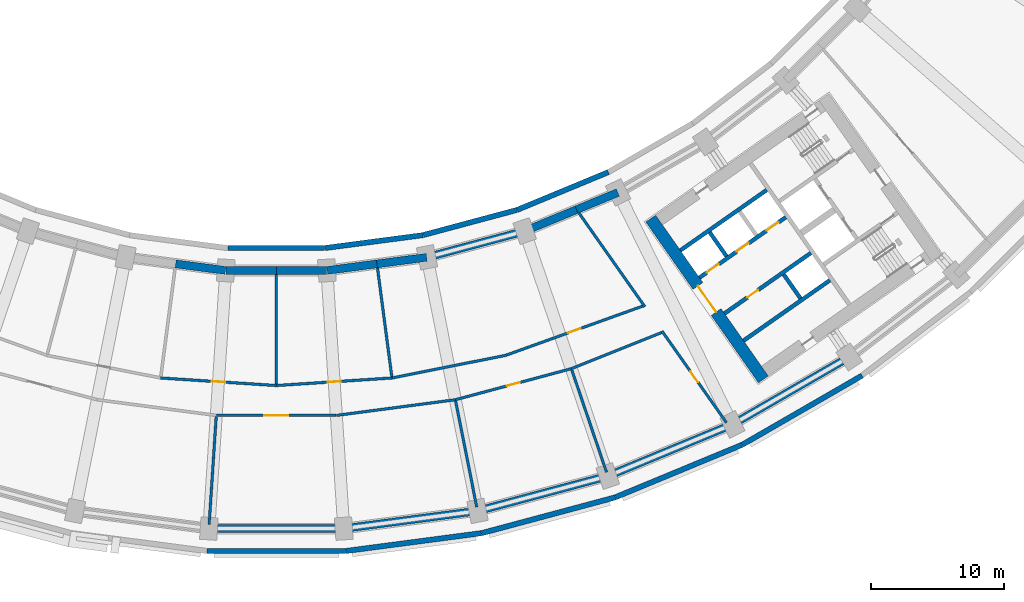
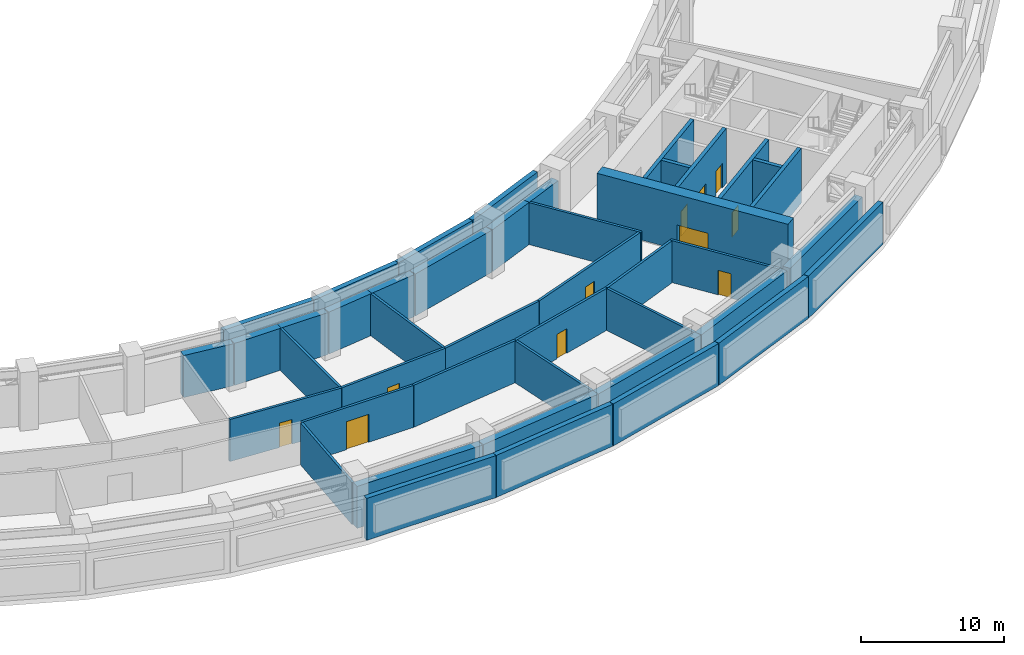
# One storey, part 7 of 25: 44 walls, 11 doors, 11 openings.
"""IFC4 building model written with IfcOpenShell, lengths in metres."""

from ifc_helpers import new_model, si_unit, direction, frame, frame_2d, origin, place, context, subcontext, project, spatial, rectangle, extrude, material, layer, layer_set, type_object, element, fill, save


model = new_model("IFC4")

# Units and contexts
model_context = context("Model", 3, precision=1e-05, world=origin(), true_north=direction((0.0, 1.0)))
body_context = subcontext(model_context, "Body", "Model", "MODEL_VIEW")
ifc_project = project(units=[si_unit("LENGTHUNIT", "METRE"), si_unit("AREAUNIT", "SQUARE_METRE"), si_unit("VOLUMEUNIT", "CUBIC_METRE"), si_unit("PLANEANGLEUNIT", "RADIAN"), si_unit("MASSUNIT", "GRAM", prefix="KILO")], contexts=[model_context])

# Site, building, storey
site_placement = place(None, origin())
site = spatial("IfcSite", under=ifc_project, at=site_placement, CompositionType="ELEMENT")
building_placement = place(site_placement, origin())
building = spatial("IfcBuilding", under=site, at=building_placement, Name="Qamariyya Broadcast Tower", CompositionType="ELEMENT")
storey_placement = place(building_placement, frame((0.0, 0.0, 89.89990234375)))
storey = spatial("IfcBuildingStorey", under=building, at=storey_placement, Name="L19", CompositionType="ELEMENT", Elevation=89.89990234375)

# Wall, opening, door
ifc_material_1 = material(Name="Concrete C70/85", Category="concrete")
ifc_layer_1 = layer(ifc_material_1, 0.89990234375)
ifc_layer_set_1 = layer_set([ifc_layer_1], Name="Core wall 900 mm Concrete C70/85")
wall_type_1 = type_object("IfcWallType", Name="Core wall 900 mm Concrete C70/85", PredefinedType="SHEAR", material=ifc_layer_set_1)
wall_1_placement = place(storey_placement, frame((36.716796875, -66.3369140625, 0.0), z_axis=(0.0, 0.0, 1.0), x_axis=(-0.573577477574, 0.819151315216, 0.0)))
wall_1 = element("IfcWall", 1, at=wall_1_placement, inside=storey, type_object=wall_type_1, Name="k-E-L19-WA", PredefinedType="SHEAR", context=body_context, shape_type="SweptSolid", body=[
    extrude(rectangle(XDim=14.800048828125, YDim=0.89990234375, at=frame_2d((7.39990234375, 0.0))), origin(), (0.0, 0.0, 1.0), 4.7001953125),
])
opening_1_placement = place(wall_1_placement, frame((6.199951171875, 0.0, 0.0)))
opening_1 = element("IfcOpeningElement", 2, at=opening_1_placement, cuts=wall_1, Name="Opening KD3-E1", PredefinedType="OPENING", context=body_context, shape_type="SweptSolid", body=[
    extrude(rectangle(XDim=2.39990234375, YDim=2.10009765625, at=frame_2d((1.199951171875, 1.050048828125))), frame((0.0, 0.4599609375, 0.0), z_axis=(0.0, -1.0, 0.0), x_axis=(1.0, 0.0, 0.0)), (0.0, 0.0, 1.0), 0.919921875),
])
ifc_material_2 = material(Name="Steel fire-resisting door leaf", Category="steel")
door_type_1 = type_object("IfcDoorType", Name="Lift lobby door KD3", OperationType="DOUBLE_DOOR_SINGLE_SWING", PredefinedType="DOOR", material=ifc_material_2)
door_1_placement = place(opening_1_placement, origin())
door_1 = element("IfcDoor", 3, at=door_1_placement, inside=storey, type_object=door_type_1, Name="k-E-L19-WA-D1", OperationType="DOUBLE_DOOR_SINGLE_SWING", OverallHeight=2.10009765625, OverallWidth=2.39990234375, PredefinedType="DOOR", context=body_context, shape_type="SweptSolid", body=[
    extrude(rectangle(XDim=2.39990234375, YDim=2.10009765625, at=frame_2d((1.199951171875, 1.050048828125))), frame((0.0, 0.02490234375, 0.0), z_axis=(0.0, -1.0, 0.0), x_axis=(1.0, 0.0, 0.0)), (0.0, 0.0, 1.0), 0.050048828125),
])
fill(opening_1, door_1)

# Wall, openings, doors
ifc_material_3 = material(Name="Concrete C60/75", Category="concrete")
ifc_layer_2 = layer(ifc_material_3, 0.300048828125)
ifc_layer_set_2 = layer_set([ifc_layer_2], Name="Lift shaft wall 300 mm Concrete C60/75")
wall_type_2 = type_object("IfcWallType", Name="Lift shaft wall 300 mm Concrete C60/75", PredefinedType="SOLIDWALL", material=ifc_layer_set_2)
wall_2_placement = place(storey_placement, frame((31.89453125, -58.66552734375, 0.0), z_axis=(0.0, 0.0, 1.0), x_axis=(0.819166993208, 0.573555086491, 0.0)))
wall_2 = element("IfcWall", 4, at=wall_2_placement, inside=storey, type_object=wall_type_2, Name="k-E-L19-NF0", PredefinedType="SOLIDWALL", context=body_context, shape_type="SweptSolid", body=[
    extrude(rectangle(XDim=7.9501953125, YDim=0.300048828125, at=frame_2d((3.97509765625, 0.0))), origin(), (0.0, 0.0, 1.0), 4.7001953125),
])
opening_2_placement = place(wall_2_placement, frame((0.675048828125, 0.0, 0.0)))
opening_2 = element("IfcOpeningElement", 5, at=opening_2_placement, cuts=wall_2, Name="Opening LD", PredefinedType="OPENING", context=body_context, shape_type="SweptSolid", body=[
    extrude(rectangle(XDim=1.10009765625, YDim=2.10009765625, at=frame_2d((0.550048828125, 1.050048828125))), frame((0.0, 0.159912109375, 0.0), z_axis=(0.0, -1.0, 0.0), x_axis=(1.0, 0.0, 0.0)), (0.0, 0.0, 1.0), 0.320068359375),
])
opening_3_placement = place(wall_2_placement, frame((3.425048828125, 0.0, 0.0)))
opening_3 = element("IfcOpeningElement", 6, at=opening_3_placement, cuts=wall_2, Name="Opening LD", PredefinedType="OPENING", context=body_context, shape_type="SweptSolid", body=[
    extrude(rectangle(XDim=1.10009765625, YDim=2.10009765625, at=frame_2d((0.550048828125, 1.050048828125))), frame((0.0, 0.159912109375, 0.0), z_axis=(0.0, -1.0, 0.0), x_axis=(1.0, 0.0, 0.0)), (0.0, 0.0, 1.0), 0.320068359375),
])
opening_4_placement = place(wall_2_placement, frame((6.175048828125, 0.0, 0.0)))
opening_4 = element("IfcOpeningElement", 7, at=opening_4_placement, cuts=wall_2, Name="Opening LD", PredefinedType="OPENING", context=body_context, shape_type="SweptSolid", body=[
    extrude(rectangle(XDim=1.10009765625, YDim=2.10009765625, at=frame_2d((0.550048828125, 1.050048828125))), frame((0.0, 0.159912109375, 0.0), z_axis=(0.0, -1.0, 0.0), x_axis=(1.0, 0.0, 0.0)), (0.0, 0.0, 1.0), 0.320068359375),
])
door_type_2 = type_object("IfcDoorType", Name="Lift landing door LD", OperationType="DOUBLE_DOOR_SLIDING", PredefinedType="DOOR", material=ifc_material_2)
door_2_placement = place(opening_2_placement, origin())
door_2 = element("IfcDoor", 8, at=door_2_placement, inside=storey, type_object=door_type_2, Name="k-E-L19-NF0-D2", OperationType="DOUBLE_DOOR_SLIDING", OverallHeight=2.10009765625, OverallWidth=1.10009765625, PredefinedType="DOOR", context=body_context, shape_type="SweptSolid", body=[
    extrude(rectangle(XDim=1.10009765625, YDim=2.10009765625, at=frame_2d((0.550048828125, 1.050048828125))), frame((0.0, 0.02490234375, 0.0), z_axis=(0.0, -1.0, 0.0), x_axis=(1.0, 0.0, 0.0)), (0.0, 0.0, 1.0), 0.050048828125),
])
fill(opening_2, door_2)
door_3_placement = place(opening_3_placement, origin())
door_3 = element("IfcDoor", 9, at=door_3_placement, inside=storey, type_object=door_type_2, Name="k-E-L19-NF0-D3", OperationType="DOUBLE_DOOR_SLIDING", OverallHeight=2.10009765625, OverallWidth=1.10009765625, PredefinedType="DOOR", context=body_context, shape_type="SweptSolid", body=[
    extrude(rectangle(XDim=1.10009765625, YDim=2.10009765625, at=frame_2d((0.550048828125, 1.050048828125))), frame((0.0, 0.02490234375, 0.0), z_axis=(0.0, -1.0, 0.0), x_axis=(1.0, 0.0, 0.0)), (0.0, 0.0, 1.0), 0.050048828125),
])
fill(opening_3, door_3)
door_4_placement = place(opening_4_placement, origin())
door_4 = element("IfcDoor", 10, at=door_4_placement, inside=storey, type_object=door_type_2, Name="k-E-L19-NF0-D4", OperationType="DOUBLE_DOOR_SLIDING", OverallHeight=2.10009765625, OverallWidth=1.10009765625, PredefinedType="DOOR", context=body_context, shape_type="SweptSolid", body=[
    extrude(rectangle(XDim=1.10009765625, YDim=2.10009765625, at=frame_2d((0.550048828125, 1.050048828125))), frame((0.0, 0.02490234375, 0.0), z_axis=(0.0, -1.0, 0.0), x_axis=(1.0, 0.0, 0.0)), (0.0, 0.0, 1.0), 0.050048828125),
])
fill(opening_4, door_4)

# Walls
wall_3_placement = place(storey_placement, frame((30.460693359375, -56.61767578125, 0.0), z_axis=(0.0, 0.0, 1.0), x_axis=(0.819142461705, 0.573590121456, 0.0)))
element("IfcWall", 11, at=wall_3_placement, inside=storey, type_object=wall_type_2, Name="k-E-L19-NB0", PredefinedType="SOLIDWALL", context=body_context, shape_type="SweptSolid", body=[
    extrude(rectangle(XDim=7.949951171875, YDim=0.300048828125, at=frame_2d((3.97509765625, 0.0))), origin(), (0.0, 0.0, 1.0), 4.7001953125),
])
wall_4_placement = place(storey_placement, frame((33.9384765625, -57.051513671875, 0.0), z_axis=(0.0, 0.0, 1.0), x_axis=(-0.573581496053, 0.819148501424, 0.0)))
element("IfcWall", 12, at=wall_4_placement, inside=storey, type_object=wall_type_2, Name="k-E-L19-ND0", PredefinedType="SOLIDWALL", context=body_context, shape_type="SweptSolid", body=[
    extrude(rectangle(XDim=2.2001953125, YDim=0.300048828125, at=frame_2d((1.10009765625, 0.0))), origin(), (0.0, 0.0, 1.0), 4.7001953125),
])

# Wall, opening, door
wall_5_placement = place(storey_placement, frame((33.787353515625, -61.368896484375, 0.0), z_axis=(0.0, 0.0, 1.0), x_axis=(0.819152564888, 0.573575692858, 0.0)))
wall_5 = element("IfcWall", 13, at=wall_5_placement, inside=storey, type_object=wall_type_2, Name="k-E-L19-SF0", PredefinedType="SOLIDWALL", context=body_context, shape_type="SweptSolid", body=[
    extrude(rectangle(XDim=7.9501953125, YDim=0.300048828125, at=frame_2d((3.97509765625, 0.0))), origin(), (0.0, 0.0, 1.0), 4.7001953125),
])
opening_5_placement = place(wall_5_placement, frame((2.10009765625, 0.0, 0.0)))
opening_5 = element("IfcOpeningElement", 14, at=opening_5_placement, cuts=wall_5, Name="Opening KD4-E1", PredefinedType="OPENING", context=body_context, shape_type="SweptSolid", body=[
    extrude(rectangle(XDim=1.0, YDim=2.10009765625, at=frame_2d((0.5, 1.050048828125))), frame((0.0, 0.159912109375, 0.0), z_axis=(0.0, -1.0, 0.0), x_axis=(1.0, 0.0, 0.0)), (0.0, 0.0, 1.0), 0.320068359375),
])
door_type_3 = type_object("IfcDoorType", Name="Riser and plant door KD4", OperationType="SINGLE_SWING_LEFT", PredefinedType="DOOR", material=ifc_material_2)
door_5_placement = place(opening_5_placement, origin())
door_5 = element("IfcDoor", 15, at=door_5_placement, inside=storey, type_object=door_type_3, Name="k-E-L19-SF0-D5", OperationType="SINGLE_SWING_LEFT", OverallHeight=2.10009765625, OverallWidth=1.0, PredefinedType="DOOR", context=body_context, shape_type="SweptSolid", body=[
    extrude(rectangle(XDim=1.0, YDim=2.10009765625, at=frame_2d((0.5, 1.050048828125))), frame((0.0, 0.02490234375, 0.0), z_axis=(0.0, -1.0, 0.0), x_axis=(1.0, 0.0, 0.0)), (0.0, 0.0, 1.0), 0.050048828125),
])
fill(opening_5, door_5)

# Walls
wall_6_placement = place(storey_placement, frame((35.22119140625, -63.41650390625, 0.0), z_axis=(0.0, 0.0, 1.0), x_axis=(0.819166993208, 0.573555086491, 0.0)))
element("IfcWall", 16, at=wall_6_placement, inside=storey, type_object=wall_type_2, Name="k-E-L19-SB0", PredefinedType="SOLIDWALL", context=body_context, shape_type="SweptSolid", body=[
    extrude(rectangle(XDim=7.9501953125, YDim=0.300048828125, at=frame_2d((3.97509765625, 0.0))), origin(), (0.0, 0.0, 1.0), 4.7001953125),
])
wall_7_placement = place(storey_placement, frame((38.255859375, -58.423095703125, 0.0), z_axis=(0.0, 0.0, 1.0), x_axis=(0.573633636671, -0.819111989218, 0.0)))
element("IfcWall", 17, at=wall_7_placement, inside=storey, type_object=wall_type_2, Name="k-E-L19-SD1", PredefinedType="SOLIDWALL", context=body_context, shape_type="SweptSolid", body=[
    extrude(rectangle(XDim=2.199951171875, YDim=0.300048828125, at=frame_2d((1.10009765625, 0.0))), origin(), (0.0, 0.0, 1.0), 4.7001953125),
])

# Wall, opening, door
ifc_material_4 = material(Name="Masonry block wall", Category="masonry")
ifc_layer_3 = layer(ifc_material_4, 0.199951171875)
ifc_layer_set_3 = layer_set([ifc_layer_3], Name="Plant room wall 200 EI 120")
wall_type_3 = type_object("IfcWallType", Name="Plant room wall 200 EI 120", PredefinedType="PARTITIONING", material=ifc_layer_set_3)
wall_8_placement = place(storey_placement, frame((-8.71923828125, -66.228515625, 0.0), z_axis=(0.0, 0.0, 1.0), x_axis=(0.997858593599, -0.065408158359, 0.0)))
wall_8 = element("IfcWall", 18, at=wall_8_placement, inside=storey, type_object=wall_type_3, Name="Partition L19-031", PredefinedType="PARTITIONING", context=body_context, shape_type="SweptSolid", body=[
    extrude(rectangle(XDim=8.738037109375, YDim=0.199951171875, at=frame_2d((4.369140625, 0.0))), origin(), (0.0, 0.0, 1.0), 3.60009765625),
])
opening_6_placement = place(wall_8_placement, frame((3.868896484375, 0.0, 0.0)))
opening_6 = element("IfcOpeningElement", 19, at=opening_6_placement, cuts=wall_8, Name="Opening L19-D08", PredefinedType="OPENING", context=body_context, shape_type="SweptSolid", body=[
    extrude(rectangle(XDim=1.0, YDim=2.10009765625, at=frame_2d((0.5, 1.050048828125))), frame((0.0, 0.10986328125, 0.0), z_axis=(0.0, -1.0, 0.0), x_axis=(1.0, 0.0, 0.0)), (0.0, 0.0, 1.0), 0.219970703125),
])
ifc_material_5 = material(Name="Insulated metal door leaf")
door_type_4 = type_object("IfcDoorType", Name="Plant door 1000 x 2100 FD120", OperationType="NOTDEFINED", PredefinedType="DOOR", material=ifc_material_5)
door_6_placement = place(opening_6_placement, origin())
door_6 = element("IfcDoor", 20, at=door_6_placement, inside=storey, type_object=door_type_4, Name="Door L19-D08", OperationType="SINGLE_SWING_RIGHT", OverallHeight=2.10009765625, OverallWidth=1.0, PredefinedType="DOOR", context=body_context, shape_type="SweptSolid", body=[
    extrude(rectangle(XDim=1.0, YDim=2.10009765625, at=frame_2d((0.5, 1.050048828125))), frame((0.0, 0.02490234375, 0.0), z_axis=(0.0, -1.0, 0.0), x_axis=(1.0, 0.0, 0.0)), (0.0, 0.0, 1.0), 0.050048828125),
])
fill(opening_6, door_6)

# Wall
wall_9_placement = place(storey_placement, frame((-5.0654296875, -77.2841796875, 0.0), z_axis=(0.0, 0.0, 1.0), x_axis=(0.065393635367, 0.997859545454, 0.0)))
element("IfcWall", 21, at=wall_9_placement, inside=storey, type_object=wall_type_3, Name="Partition L19-034", PredefinedType="PARTITIONING", context=body_context, shape_type="SweptSolid", body=[
    extrude(rectangle(XDim=8.14990234375, YDim=0.199951171875, at=frame_2d((4.074951171875, 0.0))), origin(), (0.0, 0.0, 1.0), 3.60009765625),
])

# Wall, opening, door
wall_10_placement = place(storey_placement, frame((4.516357421875, -69.0517578125, 0.0), z_axis=(0.0, 0.0, 1.0), x_axis=(-1.0, 0.0, 0.0)))
wall_10 = element("IfcWall", 22, at=wall_10_placement, inside=storey, type_object=wall_type_3, Name="Partition L19-036", PredefinedType="PARTITIONING", context=body_context, shape_type="SweptSolid", body=[
    extrude(rectangle(XDim=9.042236328125, YDim=0.199951171875, at=frame_2d((4.52099609375, 0.0))), origin(), (0.0, 0.0, 1.0), 3.60009765625),
])
opening_7_placement = place(wall_10_placement, frame((3.62109375, 0.0, 0.0)))
opening_7 = element("IfcOpeningElement", 23, at=opening_7_placement, cuts=wall_10, Name="Opening L19-D03", PredefinedType="OPENING", context=body_context, shape_type="SweptSolid", body=[
    extrude(rectangle(XDim=1.800048828125, YDim=2.39990234375, at=frame_2d((0.89990234375, 1.199951171875))), frame((0.0, 0.10986328125, 0.0), z_axis=(0.0, -1.0, 0.0), x_axis=(1.0, 0.0, 0.0)), (0.0, 0.0, 1.0), 0.219970703125),
])
door_type_5 = type_object("IfcDoorType", Name="Plant double door 1800 x 2400 FD120", OperationType="NOTDEFINED", PredefinedType="DOOR", material=ifc_material_5)
door_7_placement = place(opening_7_placement, origin())
door_7 = element("IfcDoor", 24, at=door_7_placement, inside=storey, type_object=door_type_5, Name="Door L19-D03", OperationType="DOUBLE_DOOR_SINGLE_SWING", OverallHeight=2.39990234375, OverallWidth=1.800048828125, PredefinedType="DOOR", context=body_context, shape_type="SweptSolid", body=[
    extrude(rectangle(XDim=1.800048828125, YDim=2.39990234375, at=frame_2d((0.89990234375, 1.199951171875))), frame((0.0, 0.02490234375, 0.0), z_axis=(0.0, -1.0, 0.0), x_axis=(1.0, 0.0, 0.0)), (0.0, 0.0, 1.0), 0.050048828125),
])
fill(opening_7, door_7)

wall_11_placement = place(storey_placement, frame((0.0, -66.800048828125, 0.0), z_axis=(0.0, 0.0, 1.0), x_axis=(0.997858593599, 0.065408158359, 0.0)))
wall_11 = element("IfcWall", 25, at=wall_11_placement, inside=storey, type_object=wall_type_3, Name="Partition L19-038", PredefinedType="PARTITIONING", context=body_context, shape_type="SweptSolid", body=[
    extrude(rectangle(XDim=8.738037109375, YDim=0.199951171875, at=frame_2d((4.369140625, 0.0))), origin(), (0.0, 0.0, 1.0), 3.60009765625),
])
opening_8_placement = place(wall_11_placement, frame((3.868896484375, 0.0, 0.0)))
opening_8 = element("IfcOpeningElement", 26, at=opening_8_placement, cuts=wall_11, Name="Opening L19-D09", PredefinedType="OPENING", context=body_context, shape_type="SweptSolid", body=[
    extrude(rectangle(XDim=1.0, YDim=2.10009765625, at=frame_2d((0.5, 1.050048828125))), frame((0.0, 0.10986328125, 0.0), z_axis=(0.0, -1.0, 0.0), x_axis=(1.0, 0.0, 0.0)), (0.0, 0.0, 1.0), 0.219970703125),
])
door_8_placement = place(opening_8_placement, origin())
door_8 = element("IfcDoor", 27, at=door_8_placement, inside=storey, type_object=door_type_4, Name="Door L19-D09", OperationType="SINGLE_SWING_RIGHT", OverallHeight=2.10009765625, OverallWidth=1.0, PredefinedType="DOOR", context=body_context, shape_type="SweptSolid", body=[
    extrude(rectangle(XDim=1.0, YDim=2.10009765625, at=frame_2d((0.5, 1.050048828125))), frame((0.0, 0.02490234375, 0.0), z_axis=(0.0, -1.0, 0.0), x_axis=(1.0, 0.0, 0.0)), (0.0, 0.0, 1.0), 0.050048828125),
])
fill(opening_8, door_8)

# Walls
wall_12_placement = place(storey_placement, frame((0.0, -58.42529296875, 0.0), z_axis=(0.0, 0.0, 1.0), x_axis=(0.0, -1.0, 0.0)))
element("IfcWall", 28, at=wall_12_placement, inside=storey, type_object=wall_type_3, Name="Partition L19-039", PredefinedType="PARTITIONING", context=body_context, shape_type="SweptSolid", body=[
    extrude(rectangle(XDim=8.274658203125, YDim=0.199951171875, at=frame_2d((4.13720703125, 0.0))), origin(), (0.0, 0.0, 1.0), 3.60009765625),
])
wall_13_placement = place(storey_placement, frame((4.535400390625, -69.050537109375, 0.0), z_axis=(0.0, 0.0, 1.0), x_axis=(0.991445838679, 0.130518768632, 0.0)))
element("IfcWall", 29, at=wall_13_placement, inside=storey, type_object=wall_type_3, Name="Partition L19-042", PredefinedType="PARTITIONING", context=body_context, shape_type="SweptSolid", body=[
    extrude(rectangle(XDim=9.042236328125, YDim=0.199951171875, at=frame_2d((4.52099609375, 0.0))), origin(), (0.0, 0.0, 1.0), 3.60009765625),
])
wall_14_placement = place(storey_placement, frame((7.6259765625, -57.925537109375, 0.0), z_axis=(0.0, 0.0, 1.0), x_axis=(0.130528544963, -0.991444551626, 0.0)))
element("IfcWall", 30, at=wall_14_placement, inside=storey, type_object=wall_type_3, Name="Partition L19-044", PredefinedType="PARTITIONING", context=body_context, shape_type="SweptSolid", body=[
    extrude(rectangle(XDim=8.274658203125, YDim=0.199951171875, at=frame_2d((4.13720703125, 0.0))), origin(), (0.0, 0.0, 1.0), 3.60009765625),
])
wall_15_placement = place(storey_placement, frame((8.71923828125, -66.228515625, 0.0), z_axis=(0.0, 0.0, 1.0), x_axis=(0.980784571704, 0.195093884856, 0.0)))
element("IfcWall", 31, at=wall_15_placement, inside=storey, type_object=wall_type_3, Name="Partition L19-046", PredefinedType="PARTITIONING", context=body_context, shape_type="SweptSolid", body=[
    extrude(rectangle(XDim=8.727294921875, YDim=0.199951171875, at=frame_2d((4.36376953125, 0.0))), origin(), (0.0, 0.0, 1.0), 3.60009765625),
])

# Wall, opening, door
wall_16_placement = place(storey_placement, frame((22.24365234375, -65.527587890625, 0.0), z_axis=(0.0, 0.0, 1.0), x_axis=(-0.965926260719, -0.258817423781, 0.0)))
wall_16 = element("IfcWall", 32, at=wall_16_placement, inside=storey, type_object=wall_type_3, Name="Partition L19-048", PredefinedType="PARTITIONING", context=body_context, shape_type="SweptSolid", body=[
    extrude(rectangle(XDim=9.0517578125, YDim=0.199951171875, at=frame_2d((4.52587890625, 0.0))), origin(), (0.0, 0.0, 1.0), 3.60009765625),
])
opening_9_placement = place(wall_16_placement, frame((4.02587890625, 0.0, 0.0)))
opening_9 = element("IfcOpeningElement", 33, at=opening_9_placement, cuts=wall_16, Name="Opening L19-D04", PredefinedType="OPENING", context=body_context, shape_type="SweptSolid", body=[
    extrude(rectangle(XDim=1.0, YDim=2.10009765625, at=frame_2d((0.5, 1.050048828125))), frame((0.0, 0.10986328125, 0.0), z_axis=(0.0, -1.0, 0.0), x_axis=(1.0, 0.0, 0.0)), (0.0, 0.0, 1.0), 0.219970703125),
])
door_9_placement = place(opening_9_placement, origin())
door_9 = element("IfcDoor", 34, at=door_9_placement, inside=storey, type_object=door_type_4, Name="Door L19-D04", OperationType="SINGLE_SWING_RIGHT", OverallHeight=2.10009765625, OverallWidth=1.0, PredefinedType="DOOR", context=body_context, shape_type="SweptSolid", body=[
    extrude(rectangle(XDim=1.0, YDim=2.10009765625, at=frame_2d((0.5, 1.050048828125))), frame((0.0, 0.02490234375, 0.0), z_axis=(0.0, -1.0, 0.0), x_axis=(1.0, 0.0, 0.0)), (0.0, 0.0, 1.0), 0.050048828125),
])
fill(opening_9, door_9)

# Wall
wall_17_placement = place(storey_placement, frame((15.10986328125, -75.9619140625, 0.0), z_axis=(0.0, 0.0, 1.0), x_axis=(-0.195102141606, 0.980782929267, 0.0)))
element("IfcWall", 35, at=wall_17_placement, inside=storey, type_object=wall_type_3, Name="Partition L19-049", PredefinedType="PARTITIONING", context=body_context, shape_type="SweptSolid", body=[
    extrude(rectangle(XDim=8.150146484375, YDim=0.199951171875, at=frame_2d((4.0751953125, 0.0))), origin(), (0.0, 0.0, 1.0), 3.60009765625),
])

# Wall, opening, door
wall_18_placement = place(storey_placement, frame((17.298828125, -64.520263671875, 0.0), z_axis=(0.0, 0.0, 1.0), x_axis=(0.941107439859, 0.338107655404, 0.0)))
wall_18 = element("IfcWall", 36, at=wall_18_placement, inside=storey, type_object=wall_type_3, Name="Partition L19-051", PredefinedType="PARTITIONING", context=body_context, shape_type="SweptSolid", body=[
    extrude(rectangle(XDim=10.980712890625, YDim=0.199951171875, at=frame_2d((5.490234375, 0.0))), origin(), (0.0, 0.0, 1.0), 3.60009765625),
])
opening_10_placement = place(wall_18_placement, frame((4.990234375, 0.0, 0.0)))
opening_10 = element("IfcOpeningElement", 37, at=opening_10_placement, cuts=wall_18, Name="Opening L19-D10", PredefinedType="OPENING", context=body_context, shape_type="SweptSolid", body=[
    extrude(rectangle(XDim=1.0, YDim=2.10009765625, at=frame_2d((0.5, 1.050048828125))), frame((0.0, 0.10986328125, 0.0), z_axis=(0.0, -1.0, 0.0), x_axis=(1.0, 0.0, 0.0)), (0.0, 0.0, 1.0), 0.219970703125),
])
door_10_placement = place(opening_10_placement, origin())
door_10 = element("IfcDoor", 38, at=door_10_placement, inside=storey, type_object=door_type_4, Name="Door L19-D10", OperationType="SINGLE_SWING_RIGHT", OverallHeight=2.10009765625, OverallWidth=1.0, PredefinedType="DOOR", context=body_context, shape_type="SweptSolid", body=[
    extrude(rectangle(XDim=1.0, YDim=2.10009765625, at=frame_2d((0.5, 1.050048828125))), frame((0.0, 0.02490234375, 0.0), z_axis=(0.0, -1.0, 0.0), x_axis=(1.0, 0.0, 0.0)), (0.0, 0.0, 1.0), 0.050048828125),
])
fill(opening_10, door_10)

# Walls
wall_19_placement = place(storey_placement, frame((22.24365234375, -65.527587890625, 0.0), z_axis=(0.0, 0.0, 1.0), x_axis=(0.928338595819, 0.371735728056, 0.0)))
element("IfcWall", 39, at=wall_19_placement, inside=storey, type_object=wall_type_3, Name="Partition L19-053", PredefinedType="PARTITIONING", context=body_context, shape_type="SweptSolid", body=[
    extrude(rectangle(XDim=7.31884765625, YDim=0.199951171875, at=frame_2d((3.659423828125, 0.0))), origin(), (0.0, 0.0, 1.0), 3.60009765625),
])
wall_20_placement = place(storey_placement, frame((22.80859375, -53.783447265625, 0.0), z_axis=(0.0, 0.0, 1.0), x_axis=(0.575419971745, -0.817858090452, 0.0)))
element("IfcWall", 40, at=wall_20_placement, inside=storey, type_object=wall_type_3, Name="Partition L19-055", PredefinedType="PARTITIONING", context=body_context, shape_type="SweptSolid", body=[
    extrude(rectangle(XDim=8.647216796875, YDim=0.199951171875, at=frame_2d((4.32373046875, 0.0))), origin(), (0.0, 0.0, 1.0), 3.60009765625),
])
wall_21_placement = place(storey_placement, frame((24.8955078125, -73.33984375, 0.0), z_axis=(0.0, 0.0, 1.0), x_axis=(-0.321453202328, 0.946925466292, 0.0)))
element("IfcWall", 41, at=wall_21_placement, inside=storey, type_object=wall_type_3, Name="Partition L19-056", PredefinedType="PARTITIONING", context=body_context, shape_type="SweptSolid", body=[
    extrude(rectangle(XDim=8.150146484375, YDim=0.199951171875, at=frame_2d((4.0751953125, 0.0))), origin(), (0.0, 0.0, 1.0), 3.60009765625),
])

# Wall, opening, door
wall_22_placement = place(storey_placement, frame((33.937744140625, -69.6015625, 0.0), z_axis=(0.0, 0.0, 1.0), x_axis=(-0.575412564813, 0.817863301693, 0.0)))
wall_22 = element("IfcWall", 42, at=wall_22_placement, inside=storey, type_object=wall_type_3, Name="Partition L19-059", PredefinedType="PARTITIONING", context=body_context, shape_type="SweptSolid", body=[
    extrude(rectangle(XDim=8.45361328125, YDim=0.199951171875, at=frame_2d((4.226806640625, 0.0))), origin(), (0.0, 0.0, 1.0), 3.60009765625),
])
opening_11_placement = place(wall_22_placement, frame((3.726806640625, 0.0, 0.0)))
opening_11 = element("IfcOpeningElement", 43, at=opening_11_placement, cuts=wall_22, Name="Opening L19-D05", PredefinedType="OPENING", context=body_context, shape_type="SweptSolid", body=[
    extrude(rectangle(XDim=1.0, YDim=2.10009765625, at=frame_2d((0.5, 1.050048828125))), frame((0.0, 0.10986328125, 0.0), z_axis=(0.0, -1.0, 0.0), x_axis=(1.0, 0.0, 0.0)), (0.0, 0.0, 1.0), 0.219970703125),
])
door_11_placement = place(opening_11_placement, origin())
door_11 = element("IfcDoor", 44, at=door_11_placement, inside=storey, type_object=door_type_4, Name="Door L19-D05", OperationType="SINGLE_SWING_RIGHT", OverallHeight=2.10009765625, OverallWidth=1.0, PredefinedType="DOOR", context=body_context, shape_type="SweptSolid", body=[
    extrude(rectangle(XDim=1.0, YDim=2.10009765625, at=frame_2d((0.5, 1.050048828125))), frame((0.0, 0.02490234375, 0.0), z_axis=(0.0, -1.0, 0.0), x_axis=(1.0, 0.0, 0.0)), (0.0, 0.0, 1.0), 0.050048828125),
])
fill(opening_11, door_11)

# Walls
ifc_material_6 = material(Name="Terracotta", Category="masonry")
ifc_layer_4 = layer(ifc_material_6, 0.39990234375)
ifc_layer_set_4 = layer_set([ifc_layer_4], Name="Terracotta clad plant wall 400")
wall_type_4 = type_object("IfcWallType", Name="Terracotta clad plant wall 400", PredefinedType="SOLIDWALL", material=ifc_layer_set_4)
wall_23_placement = place(storey_placement, frame((18.12841796875, -53.5625, 0.0), z_axis=(0.0, 0.0, 1.0), x_axis=(-0.965926541514, -0.258816375834, 0.0)))
element("IfcWall", 45, at=wall_23_placement, inside=storey, type_object=wall_type_4, Name="e-wl-L19-in100", PredefinedType="SOLIDWALL", context=body_context, shape_type="SweptSolid", body=[
    extrude(rectangle(XDim=7.29541015625, YDim=0.39990234375, at=frame_2d((3.647705078125, 0.0))), origin(), (0.0, 0.0, 1.0), 3.60009765625),
])
wall_24_placement = place(storey_placement, frame((25.03466796875, -50.708984375, 0.0), z_axis=(0.0, 0.0, 1.0), x_axis=(-0.923878980802, -0.382684764306, 0.0)))
element("IfcWall", 46, at=wall_24_placement, inside=storey, type_object=wall_type_4, Name="e-wl-L19-in110", PredefinedType="SOLIDWALL", context=body_context, shape_type="SweptSolid", body=[
    extrude(rectangle(XDim=7.447021484375, YDim=0.39990234375, at=frame_2d((3.7236328125, 0.0))), origin(), (0.0, 0.0, 1.0), 3.60009765625),
])
wall_25_placement = place(storey_placement, frame((3.64794921875, -56.429443359375, 0.0), z_axis=(0.0, 0.0, 1.0), x_axis=(-1.0, 0.0, 0.0)))
element("IfcWall", 47, at=wall_25_placement, inside=storey, type_object=wall_type_4, Name="e-wl-L19-in80", PredefinedType="SOLIDWALL", context=body_context, shape_type="SweptSolid", body=[
    extrude(rectangle(XDim=7.2958984375, YDim=0.39990234375, at=frame_2d((3.64794921875, 0.0))), origin(), (0.0, 0.0, 1.0), 3.60009765625),
])
wall_26_placement = place(storey_placement, frame((11.05712890625, -55.46044921875, 0.0), z_axis=(0.0, 0.0, 1.0), x_axis=(-0.991442463474, -0.130544404786, 0.0)))
element("IfcWall", 48, at=wall_26_placement, inside=storey, type_object=wall_type_4, Name="e-wl-L19-in90", PredefinedType="SOLIDWALL", context=body_context, shape_type="SweptSolid", body=[
    extrude(rectangle(XDim=7.447021484375, YDim=0.39990234375, at=frame_2d((3.7236328125, 0.0))), origin(), (0.0, 0.0, 1.0), 3.60009765625),
])
wall_27_placement = place(storey_placement, frame((15.4755859375, -77.929443359375, 0.0), z_axis=(0.0, 0.0, 1.0), x_axis=(0.965927701805, 0.258812045479, 0.0)))
element("IfcWall", 49, at=wall_27_placement, inside=storey, type_object=wall_type_4, Name="e-wl-L19-out100", PredefinedType="SOLIDWALL", context=body_context, shape_type="SweptSolid", body=[
    extrude(rectangle(XDim=10.4423828125, YDim=0.39990234375, at=frame_2d((5.22119140625, 0.0))), origin(), (0.0, 0.0, 1.0), 3.60009765625),
])
wall_28_placement = place(storey_placement, frame((25.585205078125, -75.2138671875, 0.0), z_axis=(0.0, 0.0, 1.0), x_axis=(0.923877173549, 0.382689127353, 0.0)))
element("IfcWall", 50, at=wall_28_placement, inside=storey, type_object=wall_type_4, Name="e-wl-L19-out110", PredefinedType="SOLIDWALL", context=body_context, shape_type="SweptSolid", body=[
    extrude(rectangle(XDim=10.291015625, YDim=0.39990234375, at=frame_2d((5.1455078125, 0.0))), origin(), (0.0, 0.0, 1.0), 3.60009765625),
])
for number, where, z_axis, x_axis, name in (
    (51, (35.117919921875, -71.2685546875, 0.0), (0.0, 0.0, 1.0), (0.866027516296, 0.499996341005, 0.0), "e-wl-L19-out120"),
    (52, (-5.22119140625, -79.279541015625, 0.0), (0.0, 0.0, 1.0), (1.0, 0.0, 0.0), "e-wl-L19-out80"),
):
    element("IfcWall", number, at=place(storey_placement, frame(where, z_axis=z_axis, x_axis=x_axis)), inside=storey, type_object=wall_type_4, Name=name, PredefinedType="SOLIDWALL", context=body_context, shape_type="SweptSolid", body=[
        extrude(rectangle(XDim=10.4423828125, YDim=0.39990234375, at=frame_2d((5.22119140625, 0.0))), origin(), (0.0, 0.0, 1.0), 3.60009765625),
    ])
wall_29_placement = place(storey_placement, frame((5.24658203125, -79.27294921875, 0.0), z_axis=(0.0, 0.0, 1.0), x_axis=(0.991444522207, 0.130528768423, 0.0)))
element("IfcWall", 53, at=wall_29_placement, inside=storey, type_object=wall_type_4, Name="e-wl-L19-out90", PredefinedType="SOLIDWALL", context=body_context, shape_type="SweptSolid", body=[
    extrude(rectangle(XDim=10.291015625, YDim=0.39990234375, at=frame_2d((5.1455078125, 0.0))), origin(), (0.0, 0.0, 1.0), 3.60009765625),
])
ifc_layer_5 = layer(ifc_material_4, 0.60009765625)
ifc_layer_set_5 = layer_set([ifc_layer_5], Name="Truss casing wall 600 EI 120")
wall_type_5 = type_object("IfcWallType", Name="Truss casing wall 600 EI 120", PredefinedType="PARTITIONING", material=ifc_layer_set_5)
wall_30_placement = place(storey_placement, frame((-7.5869140625, -57.6279296875, 0.0), z_axis=(0.0, 0.0, 1.0), x_axis=(0.991442222886, -0.130546231962, 0.0)))
element("IfcWall", 54, at=wall_30_placement, inside=storey, type_object=wall_type_5, Name="Partition L19-033", PredefinedType="PARTITIONING", context=body_context, shape_type="SweptSolid", body=[
    extrude(rectangle(XDim=3.787109375, YDim=0.60009765625, at=frame_2d((1.8935546875, 0.0))), origin(), (0.0, 0.0, 1.0), 3.60009765625),
])
wall_31_placement = place(storey_placement, frame((-5.085205078125, -77.58349609375, 0.0), z_axis=(0.0, 0.0, 1.0), x_axis=(1.0, 0.0, 0.0)))
element("IfcWall", 55, at=wall_31_placement, inside=storey, type_object=wall_type_5, Name="Partition L19-035", PredefinedType="PARTITIONING", context=body_context, shape_type="SweptSolid", body=[
    extrude(rectangle(XDim=10.147705078125, YDim=0.60009765625, at=frame_2d((5.07373046875, 0.0))), origin(), (0.0, 0.0, 1.0), 3.60009765625),
])
for number, where, z_axis, x_axis, name in (
    (56, (-3.787109375, -58.125244140625, 0.0), (0.0, 0.0, 1.0), (1.0, 0.0, 0.0), "Partition L19-037"),
    (57, (0.0, -58.125244140625, 0.0), (0.0, 0.0, 1.0), (1.0, 0.0, 0.0), "Partition L19-040"),
    (58, (3.832275390625, -58.122314453125, 0.0), (0.0, 0.0, 1.0), (0.991442222886, 0.130546231962, 0.0), "Partition L19-041"),
):
    element("IfcWall", number, at=place(storey_placement, frame(where, z_axis=z_axis, x_axis=x_axis)), inside=storey, type_object=wall_type_5, Name=name, PredefinedType="PARTITIONING", context=body_context, shape_type="SweptSolid", body=[
        extrude(rectangle(XDim=3.787109375, YDim=0.60009765625, at=frame_2d((1.8935546875, 0.0))), origin(), (0.0, 0.0, 1.0), 3.60009765625),
    ])
wall_32_placement = place(storey_placement, frame((5.107666015625, -77.58056640625, 0.0), z_axis=(0.0, 0.0, 1.0), x_axis=(0.991445285184, 0.130522973018, 0.0)))
element("IfcWall", 59, at=wall_32_placement, inside=storey, type_object=wall_type_5, Name="Partition L19-043", PredefinedType="PARTITIONING", context=body_context, shape_type="SweptSolid", body=[
    extrude(rectangle(XDim=10.1474609375, YDim=0.60009765625, at=frame_2d((5.07373046875, 0.0))), origin(), (0.0, 0.0, 1.0), 3.60009765625),
])
wall_33_placement = place(storey_placement, frame((7.5869140625, -57.6279296875, 0.0), z_axis=(0.0, 0.0, 1.0), x_axis=(0.991450564869, 0.130482862559, 0.0)))
element("IfcWall", 60, at=wall_33_placement, inside=storey, type_object=wall_type_5, Name="Partition L19-045", PredefinedType="PARTITIONING", context=body_context, shape_type="SweptSolid", body=[
    extrude(rectangle(XDim=3.787109375, YDim=0.60009765625, at=frame_2d((1.8935546875, 0.0))), origin(), (0.0, 0.0, 1.0), 3.60009765625),
])
wall_34_placement = place(storey_placement, frame((11.385986328125, -57.124755859375, 0.0), z_axis=(0.0, 0.0, 1.0), x_axis=(0.965928771626, 0.258808052706, 0.0)))
element("IfcWall", 61, at=wall_34_placement, inside=storey, type_object=wall_type_5, Name="Partition L19-047", PredefinedType="PARTITIONING", context=body_context, shape_type="SweptSolid", body=[
    extrude(rectangle(XDim=7.573974609375, YDim=0.60009765625, at=frame_2d((3.787109375, 0.0))), origin(), (0.0, 0.0, 1.0), 3.60009765625),
])
wall_35_placement = place(storey_placement, frame((15.168212890625, -76.256103515625, 0.0), z_axis=(0.0, 0.0, 1.0), x_axis=(0.965924263558, 0.258824877223, 0.0)))
element("IfcWall", 62, at=wall_35_placement, inside=storey, type_object=wall_type_5, Name="Partition L19-050", PredefinedType="PARTITIONING", context=body_context, shape_type="SweptSolid", body=[
    extrude(rectangle(XDim=10.17041015625, YDim=0.60009765625, at=frame_2d((5.085205078125, 0.0))), origin(), (0.0, 0.0, 1.0), 3.60009765625),
])
wall_36_placement = place(storey_placement, frame((18.744873046875, -55.14990234375, 0.0), z_axis=(0.0, 0.0, 1.0), x_axis=(0.923874116934, 0.382696506463, 0.0)))
element("IfcWall", 63, at=wall_36_placement, inside=storey, type_object=wall_type_5, Name="Partition L19-052", PredefinedType="PARTITIONING", context=body_context, shape_type="SweptSolid", body=[
    extrude(rectangle(XDim=4.211669921875, YDim=0.60009765625, at=frame_2d((2.10595703125, 0.0))), origin(), (0.0, 0.0, 1.0), 3.60009765625),
])
wall_37_placement = place(storey_placement, frame((22.635986328125, -53.5380859375, 0.0), z_axis=(0.0, 0.0, 1.0), x_axis=(0.923891170736, 0.382655333997, 0.0)))
element("IfcWall", 64, at=wall_37_placement, inside=storey, type_object=wall_type_5, Name="Partition L19-054", PredefinedType="PARTITIONING", context=body_context, shape_type="SweptSolid", body=[
    extrude(rectangle(XDim=3.3623046875, YDim=0.60009765625, at=frame_2d((1.68115234375, 0.0))), origin(), (0.0, 0.0, 1.0), 3.60009765625),
])
wall_38_placement = place(storey_placement, frame((24.991943359375, -73.623779296875, 0.0), z_axis=(0.0, 0.0, 1.0), x_axis=(0.923883575944, 0.382673670509, 0.0)))
element("IfcWall", 65, at=wall_38_placement, inside=storey, type_object=wall_type_5, Name="Partition L19-057", PredefinedType="PARTITIONING", context=body_context, shape_type="SweptSolid", body=[
    extrude(rectangle(XDim=9.86962890625, YDim=0.60009765625, at=frame_2d((4.934814453125, 0.0))), origin(), (0.0, 0.0, 1.0), 3.60009765625),
])
wall_39_placement = place(storey_placement, frame((34.407470703125, -69.720458984375, 0.0), z_axis=(0.0, 0.0, 1.0), x_axis=(0.866037016931, 0.4999798849, 0.0)))
element("IfcWall", 66, at=wall_39_placement, inside=storey, type_object=wall_type_5, Name="Partition L19-061", PredefinedType="PARTITIONING", context=body_context, shape_type="SweptSolid", body=[
    extrude(rectangle(XDim=10.125, YDim=0.60009765625, at=frame_2d((5.0625, 0.0))), origin(), (0.0, 0.0, 1.0), 3.60009765625),
])

save(model, "model.ifc")
